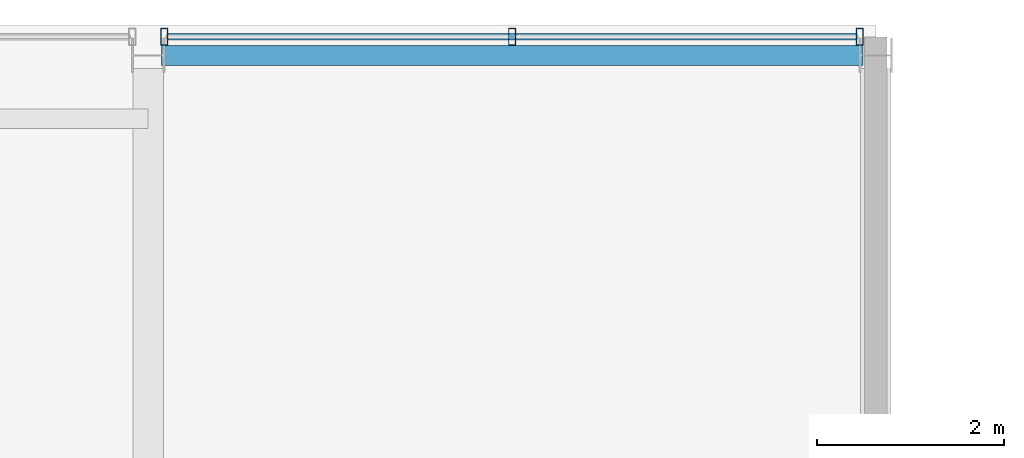
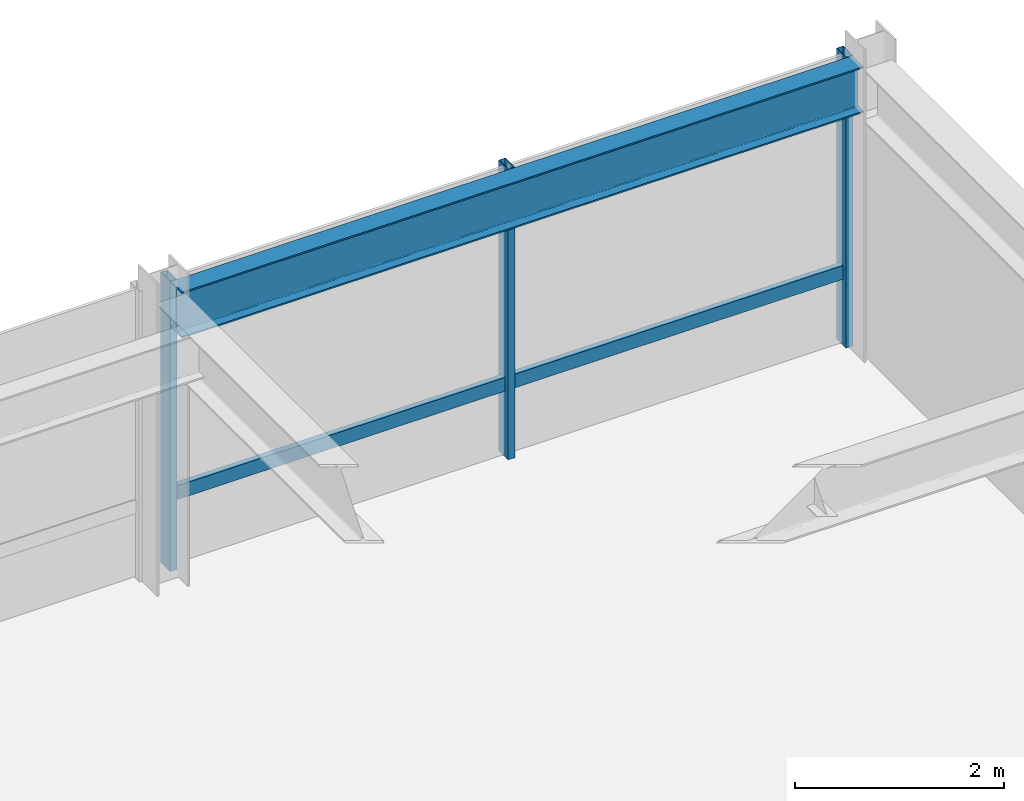
# One storey, part 26 of 33: 4 members, 1 beam, 1 element without a shape of its own.
"""IFC4 building model written with IfcOpenShell, lengths in metres."""

from ifc_helpers import new_model, si_unit, direction, frame, origin, origin_2d, place, context, subcontext, project, spatial, hollow_rectangle, i_section, extrude, material, layer, layer_set, material_profile, profile_set, type_object, element, aggregate, save


model = new_model("IFC4")

# Units and contexts
model_context = context("Model", 3, precision=1e-05, world=origin(), true_north=direction((0.0, 1.0)))
body_context = subcontext(model_context, "Body", "Model", "MODEL_VIEW")
ifc_project = project(units=[si_unit("LENGTHUNIT", "METRE"), si_unit("AREAUNIT", "SQUARE_METRE"), si_unit("VOLUMEUNIT", "CUBIC_METRE"), si_unit("PLANEANGLEUNIT", "RADIAN"), si_unit("MASSUNIT", "GRAM", prefix="KILO")], contexts=[model_context])

# Site, building, storey
site_placement = place(None, origin())
site = spatial("IfcSite", under=ifc_project, at=site_placement, CompositionType="ELEMENT")
building_placement = place(site_placement, origin())
building = spatial("IfcBuilding", under=site, at=building_placement, Name="Drelvath Grand Hotel", CompositionType="ELEMENT")
storey_placement = place(building_placement, frame((0.0, 0.0, 275.949951171875)))
storey = spatial("IfcBuildingStorey", under=building, at=storey_placement, Name="L72", CompositionType="ELEMENT", Elevation=275.949951171875)

# Curtain wall, members
ifc_material_1 = material(Name="Platinum-Mist Anodised Aluminium Frame", Category="aluminium")
ifc_layer = layer(ifc_material_1, 0.199951171875)
ifc_layer_set = layer_set([ifc_layer], Name="Platinum-Mist Anodised Aluminium Frame")
curtain_wall_type = type_object("IfcCurtainWallType", Name="Stick Curtain Wall CW-05 Platinum Mist High-Rise", PredefinedType="NOTDEFINED", material=ifc_layer_set)
curtain_wall_placement = place(storey_placement, origin())
curtain_wall = element("IfcCurtainWall", 1, at=curtain_wall_placement, inside=storey, type_object=curtain_wall_type, Name="L72 CW-05 Curtain Wall CW05-L72-NE2", PredefinedType="NOTDEFINED")
ifc_material_profile_1 = material_profile(ifc_material_1, hollow_rectangle(XDim=0.06494140625, YDim=0.159912109375, WallThickness=0.00390625, at=origin_2d()), Name="HSS160X65X4")
ifc_profile_set_1 = profile_set([ifc_material_profile_1], Name="Platinum-Mist Anodised Aluminium Frame")
member_type_1 = type_object("IfcMemberType", Name="Curtain Wall Horizontal Transom CW-05 HSS160X65X4", PredefinedType="USERDEFINED", material=ifc_profile_set_1)
member_1_placement = place(storey_placement, frame((8.610107421875, 49.080078125, 0.84765625), z_axis=(1.0, 0.0, 0.0), x_axis=(0.0, 1.0, 0.0)))
member_1 = element("IfcMember", 2, at=member_1_placement, type_object=member_type_1, Name="CW05-L72-NE2 Sill Transom", ObjectType="TRANSOM", PredefinedType="USERDEFINED", context=body_context, shape_type="SweptSolid", body=[
    extrude(hollow_rectangle(XDim=0.06494140625, YDim=0.159912109375, WallThickness=0.00390625, at=origin_2d()), origin(), (0.0, 0.0, 1.0), 7.3798828125),
])
ifc_material_profile_2 = material_profile(ifc_material_1, hollow_rectangle(XDim=0.074951171875, YDim=0.179931640625, WallThickness=0.0048828125, at=origin_2d()), Name="HSS180X75X5")
ifc_profile_set_2 = profile_set([ifc_material_profile_2], Name="Platinum-Mist Anodised Aluminium Frame")
member_type_2 = type_object("IfcMemberType", Name="Curtain Wall Vertical Mullion CW-05 HSS180X75X5", PredefinedType="MULLION", material=ifc_profile_set_2)
member_2_placement = place(storey_placement, frame((8.570068359375, 49.080078125, 0.0), z_axis=(0.0, 0.0, 1.0), x_axis=(1.0, 0.0, 0.0)))
member_2 = element("IfcMember", 3, at=member_2_placement, type_object=member_type_2, Name="CW05-L72-NE2 Mullion 1", PredefinedType="MULLION", context=body_context, shape_type="SweptSolid", body=[
    extrude(hollow_rectangle(XDim=0.074951171875, YDim=0.179931640625, WallThickness=0.0048828125, at=origin_2d()), origin(), (0.0, 0.0, 1.0), 3.39013671875),
])
member_3_placement = place(storey_placement, frame((12.300048828125, 49.080078125, 0.0), z_axis=(0.0, 0.0, 1.0), x_axis=(1.0, 0.0, 0.0)))
member_3 = element("IfcMember", 4, at=member_3_placement, type_object=member_type_2, Name="CW05-L72-NE2 Mullion 2", PredefinedType="MULLION", context=body_context, shape_type="SweptSolid", body=[
    extrude(hollow_rectangle(XDim=0.074951171875, YDim=0.179931640625, WallThickness=0.0048828125, at=origin_2d()), origin(), (0.0, 0.0, 1.0), 3.39013671875),
])
member_4_placement = place(storey_placement, frame((16.02978515625, 49.080078125, 0.0), z_axis=(0.0, 0.0, 1.0), x_axis=(1.0, 0.0, 0.0)))
member_4 = element("IfcMember", 5, at=member_4_placement, type_object=member_type_2, Name="CW05-L72-NE2 Mullion 3", PredefinedType="MULLION", context=body_context, shape_type="SweptSolid", body=[
    extrude(hollow_rectangle(XDim=0.074951171875, YDim=0.179931640625, WallThickness=0.0048828125, at=origin_2d()), origin(), (0.0, 0.0, 1.0), 3.39013671875),
])
aggregate(curtain_wall, [member_2, member_3, member_4, member_1])

# Beam
ifc_material_2 = material(Name="Steel ASTM A992 Gr 50", Category="steel")
ifc_material_profile_3 = material_profile(ifc_material_2, i_section(OverallWidth=0.210205078125, OverallDepth=0.53662109375, WebThickness=0.010986328125, FlangeThickness=0.017333984375, FilletRadius=0.01806640625, at=origin_2d()), Name="W21X68")
ifc_profile_set_3 = profile_set([ifc_material_profile_3], Name="Steel ASTM A992 Gr 50")
beam_type = type_object("IfcBeamType", Name="Perimeter Spandrel Beam W21X68", PredefinedType="SPANDREL", material=ifc_profile_set_3)
beam_placement = place(storey_placement, frame((8.5400390625, 48.8798828125, 3.12158203125), z_axis=(1.0, 0.0, 0.0), x_axis=(0.0, 1.0, 0.0)))
element("IfcBeam", 6, at=beam_placement, inside=storey, type_object=beam_type, Name="L72 Spandrel North E", PredefinedType="SPANDREL", context=body_context, shape_type="SweptSolid", body=[
    extrude(i_section(OverallWidth=0.210205078125, OverallDepth=0.53662109375, WebThickness=0.010986328125, FlangeThickness=0.017333984375, FilletRadius=0.01806640625, at=origin_2d()), origin(), (0.0, 0.0, 1.0), 7.52001953125),
])

save(model, "model.ifc")
